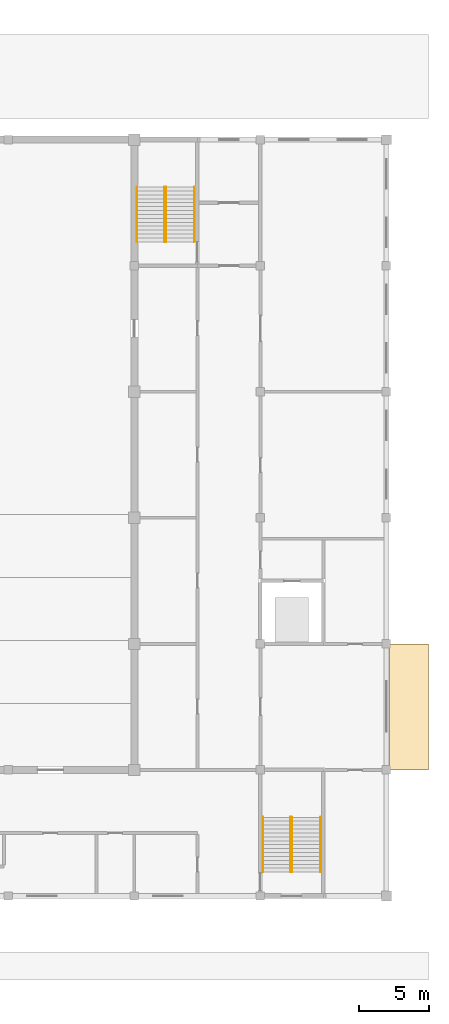
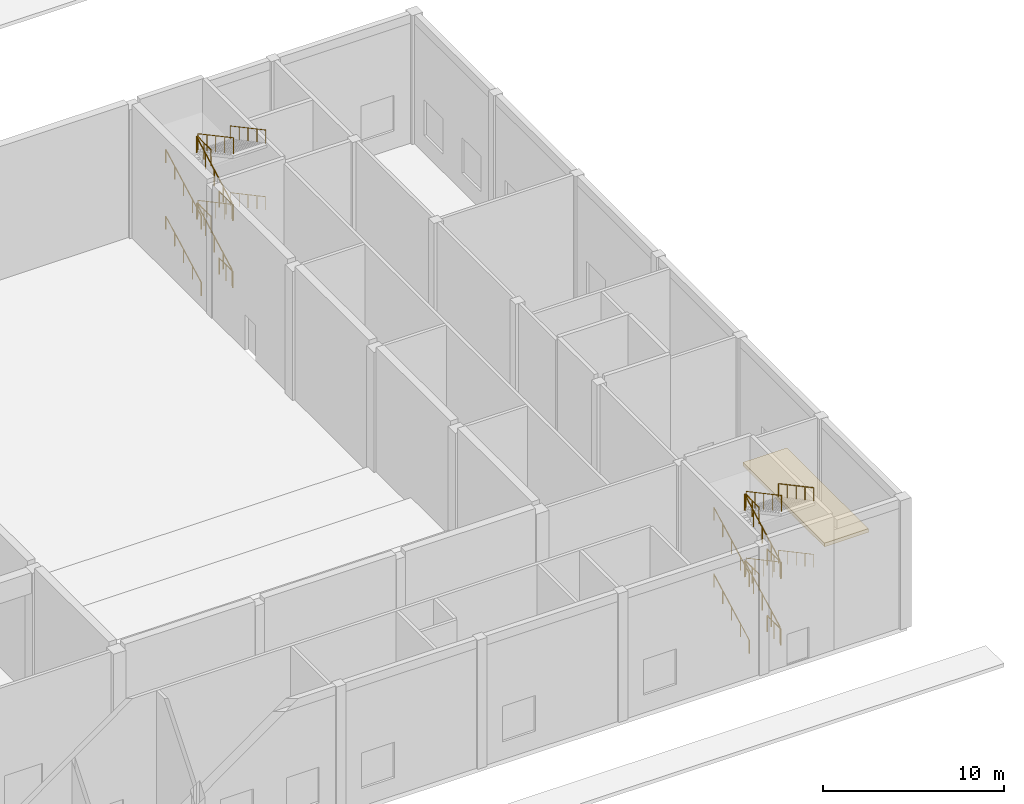
# One storey, part 42 of 44: 24 railings, 1 covering.
"""IFC4 building model written with IfcOpenShell, lengths in metres."""

from ifc_helpers import new_model, si_unit, direction, frame, origin, origin_2d, place, context, subcontext, project, spatial, polyline, circle, outline, extrude, material, layer, layer_set, type_object, element, save


model = new_model("IFC4")

# Units and contexts
model_context = context("Model", 3, precision=1e-05, world=origin(), true_north=direction((0.0, 1.0)))
body_context = subcontext(model_context, "Body", "Model", "MODEL_VIEW")
ifc_project = project(units=[si_unit("LENGTHUNIT", "METRE"), si_unit("AREAUNIT", "SQUARE_METRE"), si_unit("VOLUMEUNIT", "CUBIC_METRE"), si_unit("PLANEANGLEUNIT", "RADIAN"), si_unit("MASSUNIT", "GRAM", prefix="KILO")], contexts=[model_context])

# Site, building, storey
site_placement = place(None, origin())
site = spatial("IfcSite", under=ifc_project, at=site_placement, CompositionType="ELEMENT")
building_placement = place(site_placement, origin())
building = spatial("IfcBuilding", under=site, at=building_placement, Name="Firuza Court", CompositionType="ELEMENT")
storey_placement = place(building_placement, origin())
storey = spatial("IfcBuildingStorey", under=building, at=storey_placement, Name="L00", CompositionType="ELEMENT", Elevation=0.0)

# Railings
ifc_material_1 = material(Name="Steel S355", Category="steel")
railing_type_1 = type_object("IfcRailingType", Name="HALL HANDRAIL 900", PredefinedType="HANDRAIL", material=ifc_material_1)
railing_1_placement = place(storey_placement, frame((144.18994140625, -7.300048828125, 0.14990234375)))
element("IfcRailing", 1, at=railing_1_placement, inside=storey, type_object=railing_type_1, Name="Stair H2 flight 1 handrail L00", PredefinedType="HANDRAIL", context=body_context, shape_type="SweptSolid", body=[
    extrude(circle(Radius=0.02099609375, at=origin_2d()), frame((0.0, 0.0, 0.87890625), z_axis=(0.0, 0.881479153919, 0.472222935917), x_axis=(-1.0, 0.0, 0.0)), (0.0, 0.0, 1.0), 4.447265625),
    extrude(circle(Radius=0.02001953125, at=origin_2d()), origin(), (0.0, 0.0, 1.0), 0.85791015625),
    extrude(circle(Radius=0.02001953125, at=origin_2d()), frame((0.0, 0.97998046875, 0.52490234375)), (0.0, 0.0, 1.0), 0.85791015625),
    extrude(circle(Radius=0.02001953125, at=origin_2d()), frame((0.0, 1.9599609375, 1.050048828125)), (0.0, 0.0, 1.0), 0.85791015625),
    extrude(circle(Radius=0.02001953125, at=origin_2d()), frame((0.0, 2.940185546875, 1.5751953125)), (0.0, 0.0, 1.0), 0.85791015625),
    extrude(circle(Radius=0.02001953125, at=origin_2d()), frame((0.0, 3.920166015625, 2.10009765625)), (0.0, 0.0, 1.0), 0.85791015625),
])
railing_2_placement = place(storey_placement, frame((148.31005859375, -3.3798828125, 2.39990234375)))
element("IfcRailing", 2, at=railing_2_placement, inside=storey, type_object=railing_type_1, Name="Stair H2 flight 2 handrail L00", PredefinedType="HANDRAIL", context=body_context, shape_type="SweptSolid", body=[
    extrude(circle(Radius=0.02099609375, at=origin_2d()), frame((0.0, 0.0, 0.87890625), z_axis=(0.0, -0.881479153919, 0.472222935917), x_axis=(1.0, 0.0, 0.0)), (0.0, 0.0, 1.0), 4.447265625),
    extrude(circle(Radius=0.02001953125, at=origin_2d()), origin(), (0.0, 0.0, 1.0), 0.85791015625),
    extrude(circle(Radius=0.02001953125, at=origin_2d()), frame((0.0, -0.97998046875, 0.52490234375)), (0.0, 0.0, 1.0), 0.85791015625),
    extrude(circle(Radius=0.02001953125, at=origin_2d()), frame((0.0, -1.9599609375, 1.050048828125)), (0.0, 0.0, 1.0), 0.85791015625),
    extrude(circle(Radius=0.02001953125, at=origin_2d()), frame((0.0, -2.940185546875, 1.5751953125)), (0.0, 0.0, 1.0), 0.85791015625),
    extrude(circle(Radius=0.02001953125, at=origin_2d()), frame((0.0, -3.920166015625, 2.10009765625)), (0.0, 0.0, 1.0), 0.85791015625),
])
railing_3_placement = place(storey_placement, frame((144.18994140625, -7.300048828125, 4.64990234375)))
element("IfcRailing", 3, at=railing_3_placement, inside=storey, type_object=railing_type_1, Name="Stair H2 flight 3 handrail L00", PredefinedType="HANDRAIL", context=body_context, shape_type="SweptSolid", body=[
    extrude(circle(Radius=0.02099609375, at=origin_2d()), frame((0.0, 0.0, 0.87890625), z_axis=(0.0, 0.881479153919, 0.472222935917), x_axis=(-1.0, 0.0, 0.0)), (0.0, 0.0, 1.0), 4.447265625),
    extrude(circle(Radius=0.02001953125, at=origin_2d()), origin(), (0.0, 0.0, 1.0), 0.85791015625),
    extrude(circle(Radius=0.02001953125, at=origin_2d()), frame((0.0, 0.97998046875, 0.52490234375)), (0.0, 0.0, 1.0), 0.85791015625),
    extrude(circle(Radius=0.02001953125, at=origin_2d()), frame((0.0, 1.9599609375, 1.050048828125)), (0.0, 0.0, 1.0), 0.85791015625),
    extrude(circle(Radius=0.02001953125, at=origin_2d()), frame((0.0, 2.940185546875, 1.5751953125)), (0.0, 0.0, 1.0), 0.85791015625),
    extrude(circle(Radius=0.02001953125, at=origin_2d()), frame((0.0, 3.920166015625, 2.10009765625)), (0.0, 0.0, 1.0), 0.85791015625),
])
railing_4_placement = place(storey_placement, frame((148.31005859375, -3.3798828125, 6.89990234375)))
element("IfcRailing", 4, at=railing_4_placement, inside=storey, type_object=railing_type_1, Name="Stair H2 flight 4 handrail L00", PredefinedType="HANDRAIL", context=body_context, shape_type="SweptSolid", body=[
    extrude(circle(Radius=0.02099609375, at=origin_2d()), frame((0.0, 0.0, 0.87890625), z_axis=(0.0, -0.881479153919, 0.472222935917), x_axis=(1.0, 0.0, 0.0)), (0.0, 0.0, 1.0), 4.447265625),
    extrude(circle(Radius=0.02001953125, at=origin_2d()), origin(), (0.0, 0.0, 1.0), 0.85791015625),
    extrude(circle(Radius=0.02001953125, at=origin_2d()), frame((0.0, -0.97998046875, 0.52490234375)), (0.0, 0.0, 1.0), 0.85791015625),
    extrude(circle(Radius=0.02001953125, at=origin_2d()), frame((0.0, -1.9599609375, 1.050048828125)), (0.0, 0.0, 1.0), 0.85791015625),
    extrude(circle(Radius=0.02001953125, at=origin_2d()), frame((0.0, -2.940185546875, 1.5751953125)), (0.0, 0.0, 1.0), 0.85791015625),
    extrude(circle(Radius=0.02001953125, at=origin_2d()), frame((0.0, -3.920166015625, 2.10009765625)), (0.0, 0.0, 1.0), 0.85791015625),
])
railing_5_placement = place(storey_placement, frame((135.18994140625, 37.699951171875, 0.14990234375)))
element("IfcRailing", 5, at=railing_5_placement, inside=storey, type_object=railing_type_1, Name="Stair H4 flight 1 handrail L00", PredefinedType="HANDRAIL", context=body_context, shape_type="SweptSolid", body=[
    extrude(circle(Radius=0.02099609375, at=origin_2d()), frame((0.0, 0.0, 0.87890625), z_axis=(0.0, 0.881479153919, 0.472222935917), x_axis=(-1.0, 0.0, 0.0)), (0.0, 0.0, 1.0), 4.447265625),
    extrude(circle(Radius=0.02001953125, at=origin_2d()), origin(), (0.0, 0.0, 1.0), 0.85791015625),
    extrude(circle(Radius=0.02001953125, at=origin_2d()), frame((0.0, 0.97998046875, 0.52490234375)), (0.0, 0.0, 1.0), 0.85791015625),
    extrude(circle(Radius=0.02001953125, at=origin_2d()), frame((0.0, 1.9599609375, 1.050048828125)), (0.0, 0.0, 1.0), 0.85791015625),
    extrude(circle(Radius=0.02001953125, at=origin_2d()), frame((0.0, 2.940185546875, 1.5751953125)), (0.0, 0.0, 1.0), 0.85791015625),
    extrude(circle(Radius=0.02001953125, at=origin_2d()), frame((0.0, 3.920166015625, 2.10009765625)), (0.0, 0.0, 1.0), 0.85791015625),
])
railing_6_placement = place(storey_placement, frame((139.31005859375, 41.6201171875, 2.39990234375)))
element("IfcRailing", 6, at=railing_6_placement, inside=storey, type_object=railing_type_1, Name="Stair H4 flight 2 handrail L00", PredefinedType="HANDRAIL", context=body_context, shape_type="SweptSolid", body=[
    extrude(circle(Radius=0.02099609375, at=origin_2d()), frame((0.0, 0.0, 0.87890625), z_axis=(0.0, -0.881479153919, 0.472222935917), x_axis=(1.0, 0.0, 0.0)), (0.0, 0.0, 1.0), 4.447265625),
    extrude(circle(Radius=0.02001953125, at=origin_2d()), origin(), (0.0, 0.0, 1.0), 0.85791015625),
    extrude(circle(Radius=0.02001953125, at=origin_2d()), frame((0.0, -0.97998046875, 0.52490234375)), (0.0, 0.0, 1.0), 0.85791015625),
    extrude(circle(Radius=0.02001953125, at=origin_2d()), frame((0.0, -1.9599609375, 1.050048828125)), (0.0, 0.0, 1.0), 0.85791015625),
    extrude(circle(Radius=0.02001953125, at=origin_2d()), frame((0.0, -2.940185546875, 1.5751953125)), (0.0, 0.0, 1.0), 0.85791015625),
    extrude(circle(Radius=0.02001953125, at=origin_2d()), frame((0.0, -3.920166015625, 2.10009765625)), (0.0, 0.0, 1.0), 0.85791015625),
])
railing_7_placement = place(storey_placement, frame((135.18994140625, 37.699951171875, 4.64990234375)))
element("IfcRailing", 7, at=railing_7_placement, inside=storey, type_object=railing_type_1, Name="Stair H4 flight 3 handrail L00", PredefinedType="HANDRAIL", context=body_context, shape_type="SweptSolid", body=[
    extrude(circle(Radius=0.02099609375, at=origin_2d()), frame((0.0, 0.0, 0.87890625), z_axis=(0.0, 0.881479153919, 0.472222935917), x_axis=(-1.0, 0.0, 0.0)), (0.0, 0.0, 1.0), 4.447265625),
    extrude(circle(Radius=0.02001953125, at=origin_2d()), origin(), (0.0, 0.0, 1.0), 0.85791015625),
    extrude(circle(Radius=0.02001953125, at=origin_2d()), frame((0.0, 0.97998046875, 0.52490234375)), (0.0, 0.0, 1.0), 0.85791015625),
    extrude(circle(Radius=0.02001953125, at=origin_2d()), frame((0.0, 1.9599609375, 1.050048828125)), (0.0, 0.0, 1.0), 0.85791015625),
    extrude(circle(Radius=0.02001953125, at=origin_2d()), frame((0.0, 2.940185546875, 1.5751953125)), (0.0, 0.0, 1.0), 0.85791015625),
    extrude(circle(Radius=0.02001953125, at=origin_2d()), frame((0.0, 3.920166015625, 2.10009765625)), (0.0, 0.0, 1.0), 0.85791015625),
])
railing_8_placement = place(storey_placement, frame((139.31005859375, 41.6201171875, 6.89990234375)))
element("IfcRailing", 8, at=railing_8_placement, inside=storey, type_object=railing_type_1, Name="Stair H4 flight 4 handrail L00", PredefinedType="HANDRAIL", context=body_context, shape_type="SweptSolid", body=[
    extrude(circle(Radius=0.02099609375, at=origin_2d()), frame((0.0, 0.0, 0.87890625), z_axis=(0.0, -0.881479153919, 0.472222935917), x_axis=(1.0, 0.0, 0.0)), (0.0, 0.0, 1.0), 4.447265625),
    extrude(circle(Radius=0.02001953125, at=origin_2d()), origin(), (0.0, 0.0, 1.0), 0.85791015625),
    extrude(circle(Radius=0.02001953125, at=origin_2d()), frame((0.0, -0.97998046875, 0.52490234375)), (0.0, 0.0, 1.0), 0.85791015625),
    extrude(circle(Radius=0.02001953125, at=origin_2d()), frame((0.0, -1.9599609375, 1.050048828125)), (0.0, 0.0, 1.0), 0.85791015625),
    extrude(circle(Radius=0.02001953125, at=origin_2d()), frame((0.0, -2.940185546875, 1.5751953125)), (0.0, 0.0, 1.0), 0.85791015625),
    extrude(circle(Radius=0.02001953125, at=origin_2d()), frame((0.0, -3.920166015625, 2.10009765625)), (0.0, 0.0, 1.0), 0.85791015625),
])
ifc_material_2 = material(Name="Steel S355", Category="steel")
railing_type_2 = type_object("IfcRailingType", Name="HALL RAILING 1100", PredefinedType="GUARDRAIL", material=ifc_material_2)
railing_9_placement = place(storey_placement, frame((146.14990234375, -7.300048828125, 0.14990234375)))
element("IfcRailing", 9, at=railing_9_placement, inside=storey, type_object=railing_type_2, Name="Stair H2 flight 1 guard L00", PredefinedType="GUARDRAIL", context=body_context, shape_type="SweptSolid", body=[
    extrude(circle(Radius=0.02392578125, at=origin_2d()), frame((0.0, 0.0, 1.076171875), z_axis=(0.0, 0.881479153919, 0.472222935917), x_axis=(-1.0, 0.0, 0.0)), (0.0, 0.0, 1.0), 4.447265625),
    extrude(circle(Radius=0.02099609375, at=origin_2d()), origin(), (0.0, 0.0, 1.0), 1.052001953125),
    extrude(circle(Radius=0.02099609375, at=origin_2d()), frame((0.0, 0.97998046875, 0.52490234375)), (0.0, 0.0, 1.0), 1.052001953125),
    extrude(circle(Radius=0.02099609375, at=origin_2d()), frame((0.0, 1.9599609375, 1.050048828125)), (0.0, 0.0, 1.0), 1.052001953125),
    extrude(circle(Radius=0.02099609375, at=origin_2d()), frame((0.0, 2.940185546875, 1.5751953125)), (0.0, 0.0, 1.0), 1.052001953125),
    extrude(circle(Radius=0.02099609375, at=origin_2d()), frame((0.0, 3.920166015625, 2.10009765625)), (0.0, 0.0, 1.0), 1.052001953125),
])
railing_10_placement = place(storey_placement, frame((146.25, -3.3798828125, 2.39990234375)))
element("IfcRailing", 10, at=railing_10_placement, inside=storey, type_object=railing_type_2, Name="Stair H2 flight 2 guard L00", PredefinedType="GUARDRAIL", context=body_context, shape_type="SweptSolid", body=[
    extrude(circle(Radius=0.02392578125, at=origin_2d()), frame((0.0, 0.0, 1.076171875), z_axis=(0.0, -0.881479153919, 0.472222935917), x_axis=(1.0, 0.0, 0.0)), (0.0, 0.0, 1.0), 4.447265625),
    extrude(circle(Radius=0.02099609375, at=origin_2d()), origin(), (0.0, 0.0, 1.0), 1.052001953125),
    extrude(circle(Radius=0.02099609375, at=origin_2d()), frame((0.0, -0.97998046875, 0.52490234375)), (0.0, 0.0, 1.0), 1.052001953125),
    extrude(circle(Radius=0.02099609375, at=origin_2d()), frame((0.0, -1.9599609375, 1.050048828125)), (0.0, 0.0, 1.0), 1.052001953125),
    extrude(circle(Radius=0.02099609375, at=origin_2d()), frame((0.0, -2.940185546875, 1.5751953125)), (0.0, 0.0, 1.0), 1.052001953125),
    extrude(circle(Radius=0.02099609375, at=origin_2d()), frame((0.0, -3.920166015625, 2.10009765625)), (0.0, 0.0, 1.0), 1.052001953125),
])
railing_11_placement = place(storey_placement, frame((146.14990234375, -7.300048828125, 4.64990234375)))
element("IfcRailing", 11, at=railing_11_placement, inside=storey, type_object=railing_type_2, Name="Stair H2 flight 3 guard L00", PredefinedType="GUARDRAIL", context=body_context, shape_type="SweptSolid", body=[
    extrude(circle(Radius=0.02392578125, at=origin_2d()), frame((0.0, 0.0, 1.076171875), z_axis=(0.0, 0.881479153919, 0.472222935917), x_axis=(-1.0, 0.0, 0.0)), (0.0, 0.0, 1.0), 4.447265625),
    extrude(circle(Radius=0.02099609375, at=origin_2d()), origin(), (0.0, 0.0, 1.0), 1.052001953125),
    extrude(circle(Radius=0.02099609375, at=origin_2d()), frame((0.0, 0.97998046875, 0.52490234375)), (0.0, 0.0, 1.0), 1.052001953125),
    extrude(circle(Radius=0.02099609375, at=origin_2d()), frame((0.0, 1.9599609375, 1.050048828125)), (0.0, 0.0, 1.0), 1.052001953125),
    extrude(circle(Radius=0.02099609375, at=origin_2d()), frame((0.0, 2.940185546875, 1.5751953125)), (0.0, 0.0, 1.0), 1.052001953125),
    extrude(circle(Radius=0.02099609375, at=origin_2d()), frame((0.0, 3.920166015625, 2.10009765625)), (0.0, 0.0, 1.0), 1.052001953125),
])
railing_12_placement = place(storey_placement, frame((146.25, -3.3798828125, 6.89990234375)))
element("IfcRailing", 12, at=railing_12_placement, inside=storey, type_object=railing_type_2, Name="Stair H2 flight 4 guard L00", PredefinedType="GUARDRAIL", context=body_context, shape_type="SweptSolid", body=[
    extrude(circle(Radius=0.02392578125, at=origin_2d()), frame((0.0, 0.0, 1.076171875), z_axis=(0.0, -0.881479153919, 0.472222935917), x_axis=(1.0, 0.0, 0.0)), (0.0, 0.0, 1.0), 4.447265625),
    extrude(circle(Radius=0.02099609375, at=origin_2d()), origin(), (0.0, 0.0, 1.0), 1.052001953125),
    extrude(circle(Radius=0.02099609375, at=origin_2d()), frame((0.0, -0.97998046875, 0.52490234375)), (0.0, 0.0, 1.0), 1.052001953125),
    extrude(circle(Radius=0.02099609375, at=origin_2d()), frame((0.0, -1.9599609375, 1.050048828125)), (0.0, 0.0, 1.0), 1.052001953125),
    extrude(circle(Radius=0.02099609375, at=origin_2d()), frame((0.0, -2.940185546875, 1.5751953125)), (0.0, 0.0, 1.0), 1.052001953125),
    extrude(circle(Radius=0.02099609375, at=origin_2d()), frame((0.0, -3.920166015625, 2.10009765625)), (0.0, 0.0, 1.0), 1.052001953125),
])
for number, where, name in (
    (13, (146.199951171875, -4.8798828125, 2.25), "Stair H2 landing guard 1 L00"),
    (14, (146.199951171875, -7.300048828125, 4.5), "Stair H2 landing guard 2 L00"),
    (15, (146.199951171875, -4.8798828125, 6.75), "Stair H2 landing guard 3 L00"),
):
    element("IfcRailing", number, at=place(storey_placement, frame(where)), inside=storey, type_object=railing_type_2, Name=name, PredefinedType="GUARDRAIL", context=body_context, shape_type="SweptSolid", body=[
        extrude(circle(Radius=0.02392578125, at=origin_2d()), frame((0.0, 0.0, 1.076171875), z_axis=(0.0, 1.0, 0.0), x_axis=(-1.0, 0.0, 0.0)), (0.0, 0.0, 1.0), 1.5),
        extrude(circle(Radius=0.02099609375, at=origin_2d()), origin(), (0.0, 0.0, 1.0), 1.052001953125),
        extrude(circle(Radius=0.02099609375, at=origin_2d()), frame((0.0, 0.75, 0.0)), (0.0, 0.0, 1.0), 1.052001953125),
        extrude(circle(Radius=0.02099609375, at=origin_2d()), frame((0.0, 1.5, 0.0)), (0.0, 0.0, 1.0), 1.052001953125),
    ])
railing_13_placement = place(storey_placement, frame((137.14990234375, 37.699951171875, 0.14990234375)))
element("IfcRailing", 16, at=railing_13_placement, inside=storey, type_object=railing_type_2, Name="Stair H4 flight 1 guard L00", PredefinedType="GUARDRAIL", context=body_context, shape_type="SweptSolid", body=[
    extrude(circle(Radius=0.02392578125, at=origin_2d()), frame((0.0, 0.0, 1.076171875), z_axis=(0.0, 0.881479153919, 0.472222935917), x_axis=(-1.0, 0.0, 0.0)), (0.0, 0.0, 1.0), 4.447265625),
    extrude(circle(Radius=0.02099609375, at=origin_2d()), origin(), (0.0, 0.0, 1.0), 1.052001953125),
    extrude(circle(Radius=0.02099609375, at=origin_2d()), frame((0.0, 0.97998046875, 0.52490234375)), (0.0, 0.0, 1.0), 1.052001953125),
    extrude(circle(Radius=0.02099609375, at=origin_2d()), frame((0.0, 1.9599609375, 1.050048828125)), (0.0, 0.0, 1.0), 1.052001953125),
    extrude(circle(Radius=0.02099609375, at=origin_2d()), frame((0.0, 2.940185546875, 1.5751953125)), (0.0, 0.0, 1.0), 1.052001953125),
    extrude(circle(Radius=0.02099609375, at=origin_2d()), frame((0.0, 3.920166015625, 2.10009765625)), (0.0, 0.0, 1.0), 1.052001953125),
])
railing_14_placement = place(storey_placement, frame((137.25, 41.6201171875, 2.39990234375)))
element("IfcRailing", 17, at=railing_14_placement, inside=storey, type_object=railing_type_2, Name="Stair H4 flight 2 guard L00", PredefinedType="GUARDRAIL", context=body_context, shape_type="SweptSolid", body=[
    extrude(circle(Radius=0.02392578125, at=origin_2d()), frame((0.0, 0.0, 1.076171875), z_axis=(0.0, -0.881479153919, 0.472222935917), x_axis=(1.0, 0.0, 0.0)), (0.0, 0.0, 1.0), 4.447265625),
    extrude(circle(Radius=0.02099609375, at=origin_2d()), origin(), (0.0, 0.0, 1.0), 1.052001953125),
    extrude(circle(Radius=0.02099609375, at=origin_2d()), frame((0.0, -0.97998046875, 0.52490234375)), (0.0, 0.0, 1.0), 1.052001953125),
    extrude(circle(Radius=0.02099609375, at=origin_2d()), frame((0.0, -1.9599609375, 1.050048828125)), (0.0, 0.0, 1.0), 1.052001953125),
    extrude(circle(Radius=0.02099609375, at=origin_2d()), frame((0.0, -2.940185546875, 1.5751953125)), (0.0, 0.0, 1.0), 1.052001953125),
    extrude(circle(Radius=0.02099609375, at=origin_2d()), frame((0.0, -3.920166015625, 2.10009765625)), (0.0, 0.0, 1.0), 1.052001953125),
])
railing_15_placement = place(storey_placement, frame((137.14990234375, 37.699951171875, 4.64990234375)))
element("IfcRailing", 18, at=railing_15_placement, inside=storey, type_object=railing_type_2, Name="Stair H4 flight 3 guard L00", PredefinedType="GUARDRAIL", context=body_context, shape_type="SweptSolid", body=[
    extrude(circle(Radius=0.02392578125, at=origin_2d()), frame((0.0, 0.0, 1.076171875), z_axis=(0.0, 0.881479153919, 0.472222935917), x_axis=(-1.0, 0.0, 0.0)), (0.0, 0.0, 1.0), 4.447265625),
    extrude(circle(Radius=0.02099609375, at=origin_2d()), origin(), (0.0, 0.0, 1.0), 1.052001953125),
    extrude(circle(Radius=0.02099609375, at=origin_2d()), frame((0.0, 0.97998046875, 0.52490234375)), (0.0, 0.0, 1.0), 1.052001953125),
    extrude(circle(Radius=0.02099609375, at=origin_2d()), frame((0.0, 1.9599609375, 1.050048828125)), (0.0, 0.0, 1.0), 1.052001953125),
    extrude(circle(Radius=0.02099609375, at=origin_2d()), frame((0.0, 2.940185546875, 1.5751953125)), (0.0, 0.0, 1.0), 1.052001953125),
    extrude(circle(Radius=0.02099609375, at=origin_2d()), frame((0.0, 3.920166015625, 2.10009765625)), (0.0, 0.0, 1.0), 1.052001953125),
])
railing_16_placement = place(storey_placement, frame((137.25, 41.6201171875, 6.89990234375)))
element("IfcRailing", 19, at=railing_16_placement, inside=storey, type_object=railing_type_2, Name="Stair H4 flight 4 guard L00", PredefinedType="GUARDRAIL", context=body_context, shape_type="SweptSolid", body=[
    extrude(circle(Radius=0.02392578125, at=origin_2d()), frame((0.0, 0.0, 1.076171875), z_axis=(0.0, -0.881479153919, 0.472222935917), x_axis=(1.0, 0.0, 0.0)), (0.0, 0.0, 1.0), 4.447265625),
    extrude(circle(Radius=0.02099609375, at=origin_2d()), origin(), (0.0, 0.0, 1.0), 1.052001953125),
    extrude(circle(Radius=0.02099609375, at=origin_2d()), frame((0.0, -0.97998046875, 0.52490234375)), (0.0, 0.0, 1.0), 1.052001953125),
    extrude(circle(Radius=0.02099609375, at=origin_2d()), frame((0.0, -1.9599609375, 1.050048828125)), (0.0, 0.0, 1.0), 1.052001953125),
    extrude(circle(Radius=0.02099609375, at=origin_2d()), frame((0.0, -2.940185546875, 1.5751953125)), (0.0, 0.0, 1.0), 1.052001953125),
    extrude(circle(Radius=0.02099609375, at=origin_2d()), frame((0.0, -3.920166015625, 2.10009765625)), (0.0, 0.0, 1.0), 1.052001953125),
])
for number, where, name in (
    (20, (137.199951171875, 40.1201171875, 2.25), "Stair H4 landing guard 1 L00"),
    (21, (137.199951171875, 37.699951171875, 4.5), "Stair H4 landing guard 2 L00"),
    (22, (137.199951171875, 40.1201171875, 6.75), "Stair H4 landing guard 3 L00"),
    (23, (146.199951171875, -7.300048828125, 0.0), "Stair H2 floor guard L00"),
    (24, (137.199951171875, 37.699951171875, 0.0), "Stair H4 floor guard L00"),
):
    element("IfcRailing", number, at=place(storey_placement, frame(where)), inside=storey, type_object=railing_type_2, Name=name, PredefinedType="GUARDRAIL", context=body_context, shape_type="SweptSolid", body=[
        extrude(circle(Radius=0.02392578125, at=origin_2d()), frame((0.0, 0.0, 1.076171875), z_axis=(0.0, 1.0, 0.0), x_axis=(-1.0, 0.0, 0.0)), (0.0, 0.0, 1.0), 1.5),
        extrude(circle(Radius=0.02099609375, at=origin_2d()), origin(), (0.0, 0.0, 1.0), 1.052001953125),
        extrude(circle(Radius=0.02099609375, at=origin_2d()), frame((0.0, 0.75, 0.0)), (0.0, 0.0, 1.0), 1.052001953125),
        extrude(circle(Radius=0.02099609375, at=origin_2d()), frame((0.0, 1.5, 0.0)), (0.0, 0.0, 1.0), 1.052001953125),
    ])

# Covering
ifc_material_3 = material(Name="Asphalt paving")
ifc_layer = layer(ifc_material_3, 0.25)
ifc_layer_set = layer_set([ifc_layer], Name="Asphalt paving")
covering_type = type_object("IfcCoveringType", Name="HALL ROAD PAVING 250", PredefinedType="FLOORING", material=ifc_layer_set)
covering_placement = place(storey_placement, frame((0.0, 0.0, -0.25)))
element("IfcCovering", 25, at=covering_placement, inside=storey, type_object=covering_type, Name="Fire lane and service lane paving", PredefinedType="FLOORING", context=body_context, shape_type="SweptSolid", body=[
    extrude(outline(polyline([(153.199951171875, 9.0), (156.0, 9.0), (156.0, 0.0), (153.199951171875, 0.0), (153.199951171875, 9.0)])), origin(), (0.0, 0.0, 1.0), 0.25),
])

save(model, "model.ifc")
